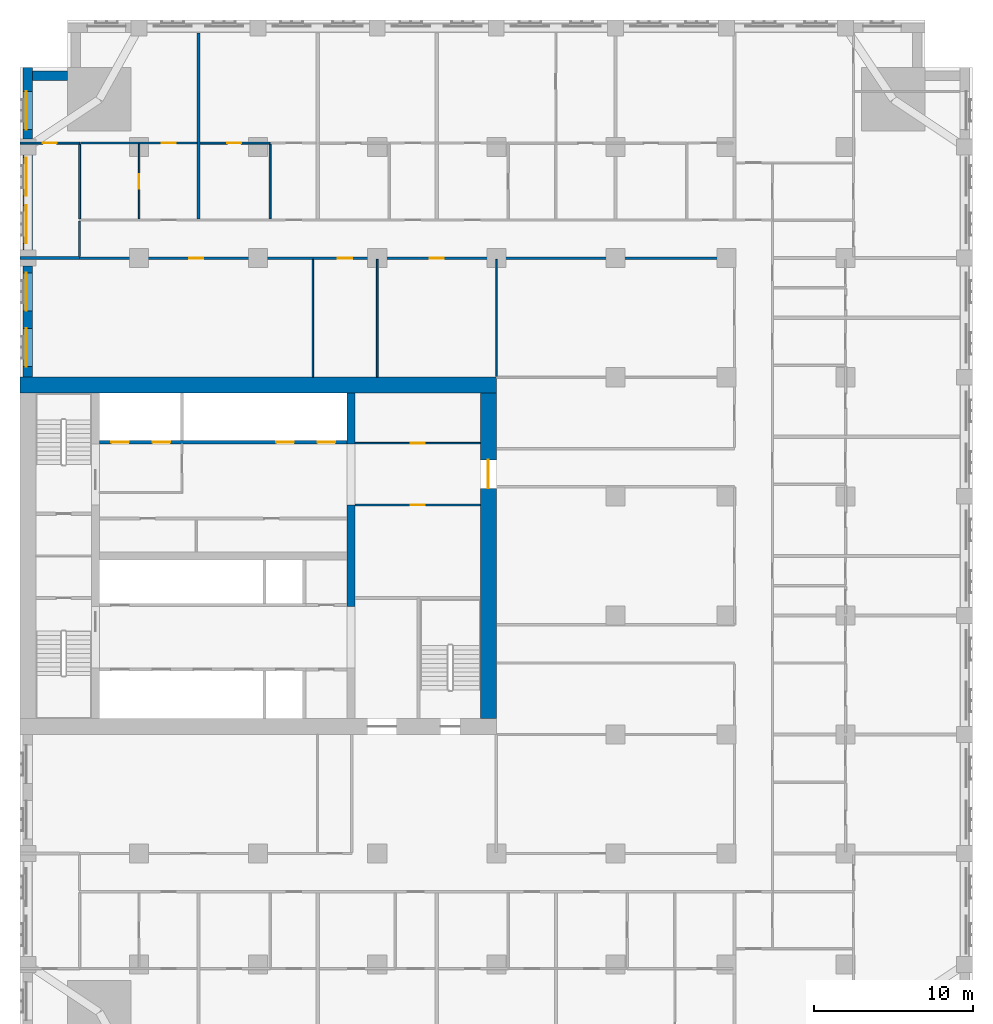
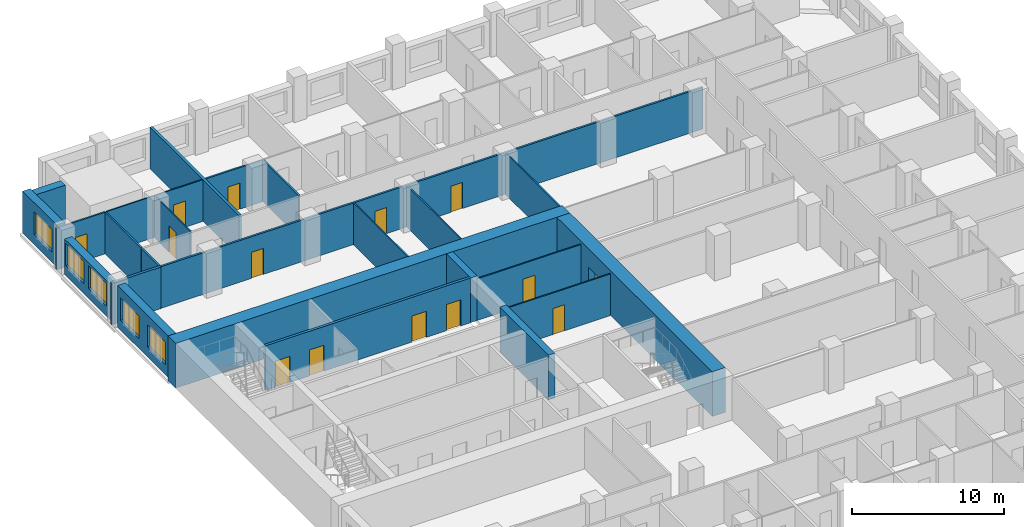
# One storey, part 8 of 14: 24 walls, 14 doors, 5 windows, 19 openings.
"""IFC4 building model written with IfcOpenShell, lengths in metres."""

from ifc_helpers import new_model, si_unit, direction, frame, frame_2d, origin, place, context, subcontext, project, spatial, rectangle, extrude, material, layer, layer_set, type_object, element, fill, save


model = new_model("IFC4")

# Units and contexts
model_context = context("Model", 3, precision=1e-05, world=origin(), true_north=direction((0.0, 1.0)))
body_context = subcontext(model_context, "Body", "Model", "MODEL_VIEW")
ifc_project = project(units=[si_unit("LENGTHUNIT", "METRE"), si_unit("AREAUNIT", "SQUARE_METRE"), si_unit("VOLUMEUNIT", "CUBIC_METRE"), si_unit("PLANEANGLEUNIT", "RADIAN"), si_unit("MASSUNIT", "GRAM", prefix="KILO")], contexts=[model_context])

# Site, building, storey
site_placement = place(None, origin())
site = spatial("IfcSite", under=ifc_project, at=site_placement, CompositionType="ELEMENT")
building_placement = place(site_placement, origin())
building = spatial("IfcBuilding", under=site, at=building_placement, Name="Tamorin Gate", CompositionType="ELEMENT")
storey_placement = place(building_placement, frame((0.0, 0.0, 66.39990234375)))
storey = spatial("IfcBuildingStorey", under=building, at=storey_placement, Name="L15", CompositionType="ELEMENT", Elevation=66.39990234375)

# Wall
ifc_material_1 = material(Name="Precast concrete C40/50", Category="concrete")
ifc_layer_1 = layer(ifc_material_1, 0.60009765625)
ifc_layer_set_1 = layer_set([ifc_layer_1], Name="Precast concrete C40/50")
wall_type_1 = type_object("IfcWallType", Name="Board-marked concrete facade panel 600", PredefinedType="SOLIDWALL", material=ifc_layer_set_1)
wall_1_placement = place(storey_placement, frame((33.0, 101.5, 0.0), z_axis=(0.0, 0.0, 1.0), x_axis=(-1.0, 0.0, 0.0)))
element("IfcWall", 1, at=wall_1_placement, inside=storey, type_object=wall_type_1, Name="Facade panel", PredefinedType="SOLIDWALL", context=body_context, shape_type="SweptSolid", body=[
    extrude(rectangle(XDim=2.199951171875, YDim=0.60009765625, at=frame_2d((1.10009765625, 0.0))), origin(), (0.0, 0.0, 1.0), 3.35009765625),
])

# Wall, opening, window
wall_2_placement = place(storey_placement, frame((30.5, 102.0, 0.0), z_axis=(0.0, 0.0, 1.0), x_axis=(0.0, -1.0, 0.0)))
wall_2 = element("IfcWall", 2, at=wall_2_placement, inside=storey, type_object=wall_type_1, Name="Facade panel", PredefinedType="SOLIDWALL", context=body_context, shape_type="SweptSolid", body=[
    extrude(rectangle(XDim=4.5, YDim=0.60009765625, at=frame_2d((2.25, 0.0))), origin(), (0.0, 0.0, 1.0), 3.35009765625),
])
opening_1_placement = place(wall_2_placement, frame((1.5, 0.0, 0.800048828125)))
opening_1 = element("IfcOpeningElement", 3, at=opening_1_placement, cuts=wall_2, Name="Opening WN1", PredefinedType="OPENING", context=body_context, shape_type="SweptSolid", body=[
    extrude(rectangle(XDim=2.39990234375, YDim=1.800048828125, at=frame_2d((1.199951171875, 0.89990234375))), frame((0.0, 0.31005859375, 0.0), z_axis=(0.0, -1.0, 0.0), x_axis=(1.0, 0.0, 0.0)), (0.0, 0.0, 1.0), 0.6201171875),
])
ifc_material_2 = material(Name="Clear glass in aluminium frame", Category="aluminium")
window_type = type_object("IfcWindowType", Name="Deep-set window 2400x1800", PartitioningType="SINGLE_PANEL", PredefinedType="WINDOW", material=ifc_material_2)
window_1_placement = place(opening_1_placement, origin())
window_1 = element("IfcWindow", 4, at=window_1_placement, inside=storey, type_object=window_type, Name="Deep-set window", OverallHeight=1.800048828125, OverallWidth=2.39990234375, PartitioningType="SINGLE_PANEL", PredefinedType="WINDOW", context=body_context, shape_type="SweptSolid", body=[
    extrude(rectangle(XDim=2.39990234375, YDim=1.800048828125, at=frame_2d((1.199951171875, 0.89990234375))), frame((0.0, -0.070068359375, 0.0), z_axis=(0.0, -1.0, 0.0), x_axis=(1.0, 0.0, 0.0)), (0.0, 0.0, 1.0), 0.06005859375),
])
fill(opening_1, window_1)

# Wall, openings, windows
wall_3_placement = place(storey_placement, frame((30.5, 96.5, 0.0), z_axis=(0.0, 0.0, 1.0), x_axis=(0.0, -1.0, 0.0)))
wall_3 = element("IfcWall", 5, at=wall_3_placement, inside=storey, type_object=wall_type_1, Name="Facade panel", PredefinedType="SOLIDWALL", context=body_context, shape_type="SweptSolid", body=[
    extrude(rectangle(XDim=6.0, YDim=0.60009765625, at=frame_2d((3.0, 0.0))), origin(), (0.0, 0.0, 1.0), 2.85009765625),
])
opening_2_placement = place(wall_3_placement, frame((3.175048828125, 0.0, 0.800048828125)))
opening_2 = element("IfcOpeningElement", 6, at=opening_2_placement, cuts=wall_3, Name="Opening WN1", PredefinedType="OPENING", context=body_context, shape_type="SweptSolid", body=[
    extrude(rectangle(XDim=2.39990234375, YDim=1.800048828125, at=frame_2d((1.199951171875, 0.89990234375))), frame((0.0, 0.31005859375, 0.0), z_axis=(0.0, -1.0, 0.0), x_axis=(1.0, 0.0, 0.0)), (0.0, 0.0, 1.0), 0.6201171875),
])
opening_3_placement = place(wall_3_placement, frame((0.175048828125, 0.0, 0.800048828125)))
opening_3 = element("IfcOpeningElement", 7, at=opening_3_placement, cuts=wall_3, Name="Opening WN1", PredefinedType="OPENING", context=body_context, shape_type="SweptSolid", body=[
    extrude(rectangle(XDim=2.39990234375, YDim=1.800048828125, at=frame_2d((1.199951171875, 0.89990234375))), frame((0.0, 0.31005859375, 0.0), z_axis=(0.0, -1.0, 0.0), x_axis=(1.0, 0.0, 0.0)), (0.0, 0.0, 1.0), 0.6201171875),
])
window_2_placement = place(opening_2_placement, origin())
window_2 = element("IfcWindow", 8, at=window_2_placement, inside=storey, type_object=window_type, Name="Deep-set window", OverallHeight=1.800048828125, OverallWidth=2.39990234375, PartitioningType="SINGLE_PANEL", PredefinedType="WINDOW", context=body_context, shape_type="SweptSolid", body=[
    extrude(rectangle(XDim=2.39990234375, YDim=1.800048828125, at=frame_2d((1.199951171875, 0.89990234375))), frame((0.0, -0.070068359375, 0.0), z_axis=(0.0, -1.0, 0.0), x_axis=(1.0, 0.0, 0.0)), (0.0, 0.0, 1.0), 0.06005859375),
])
fill(opening_2, window_2)
window_3_placement = place(opening_3_placement, origin())
window_3 = element("IfcWindow", 9, at=window_3_placement, inside=storey, type_object=window_type, Name="Deep-set window", OverallHeight=1.800048828125, OverallWidth=2.39990234375, PartitioningType="SINGLE_PANEL", PredefinedType="WINDOW", context=body_context, shape_type="SweptSolid", body=[
    extrude(rectangle(XDim=2.39990234375, YDim=1.800048828125, at=frame_2d((1.199951171875, 0.89990234375))), frame((0.0, -0.070068359375, 0.0), z_axis=(0.0, -1.0, 0.0), x_axis=(1.0, 0.0, 0.0)), (0.0, 0.0, 1.0), 0.06005859375),
])
fill(opening_3, window_3)

wall_4_placement = place(storey_placement, frame((30.5, 89.5, 0.0), z_axis=(0.0, 0.0, 1.0), x_axis=(0.0, -1.0, 0.0)))
wall_4 = element("IfcWall", 10, at=wall_4_placement, inside=storey, type_object=wall_type_1, Name="Facade panel", PredefinedType="SOLIDWALL", context=body_context, shape_type="SweptSolid", body=[
    extrude(rectangle(XDim=7.0, YDim=0.60009765625, at=frame_2d((3.5, 0.0))), origin(), (0.0, 0.0, 1.0), 3.35009765625),
])
opening_4_placement = place(wall_4_placement, frame((3.925048828125, 0.0, 0.800048828125)))
opening_4 = element("IfcOpeningElement", 11, at=opening_4_placement, cuts=wall_4, Name="Opening WN1", PredefinedType="OPENING", context=body_context, shape_type="SweptSolid", body=[
    extrude(rectangle(XDim=2.39990234375, YDim=1.800048828125, at=frame_2d((1.199951171875, 0.89990234375))), frame((0.0, 0.31005859375, 0.0), z_axis=(0.0, -1.0, 0.0), x_axis=(1.0, 0.0, 0.0)), (0.0, 0.0, 1.0), 0.6201171875),
])
opening_5_placement = place(wall_4_placement, frame((0.425048828125, 0.0, 0.800048828125)))
opening_5 = element("IfcOpeningElement", 12, at=opening_5_placement, cuts=wall_4, Name="Opening WN1", PredefinedType="OPENING", context=body_context, shape_type="SweptSolid", body=[
    extrude(rectangle(XDim=2.39990234375, YDim=1.800048828125, at=frame_2d((1.199951171875, 0.89990234375))), frame((0.0, 0.31005859375, 0.0), z_axis=(0.0, -1.0, 0.0), x_axis=(1.0, 0.0, 0.0)), (0.0, 0.0, 1.0), 0.6201171875),
])
window_4_placement = place(opening_4_placement, origin())
window_4 = element("IfcWindow", 13, at=window_4_placement, inside=storey, type_object=window_type, Name="Deep-set window", OverallHeight=1.800048828125, OverallWidth=2.39990234375, PartitioningType="SINGLE_PANEL", PredefinedType="WINDOW", context=body_context, shape_type="SweptSolid", body=[
    extrude(rectangle(XDim=2.39990234375, YDim=1.800048828125, at=frame_2d((1.199951171875, 0.89990234375))), frame((0.0, -0.070068359375, 0.0), z_axis=(0.0, -1.0, 0.0), x_axis=(1.0, 0.0, 0.0)), (0.0, 0.0, 1.0), 0.06005859375),
])
fill(opening_4, window_4)
window_5_placement = place(opening_5_placement, origin())
window_5 = element("IfcWindow", 14, at=window_5_placement, inside=storey, type_object=window_type, Name="Deep-set window", OverallHeight=1.800048828125, OverallWidth=2.39990234375, PartitioningType="SINGLE_PANEL", PredefinedType="WINDOW", context=body_context, shape_type="SweptSolid", body=[
    extrude(rectangle(XDim=2.39990234375, YDim=1.800048828125, at=frame_2d((1.199951171875, 0.89990234375))), frame((0.0, -0.070068359375, 0.0), z_axis=(0.0, -1.0, 0.0), x_axis=(1.0, 0.0, 0.0)), (0.0, 0.0, 1.0), 0.06005859375),
])
fill(opening_5, window_5)

# Wall, openings, doors
ifc_material_3 = material(Name="Gypsum board partition")
ifc_layer_2 = layer(ifc_material_3, 0.14990234375)
ifc_layer_set_2 = layer_set([ifc_layer_2], Name="Corridor wall 150")
wall_type_2 = type_object("IfcWallType", Name="Corridor wall 150", PredefinedType="PARTITIONING", material=ifc_layer_set_2)
wall_5_placement = place(storey_placement, frame((33.75, 90.0, 0.0), z_axis=(0.0, 0.0, 1.0), x_axis=(1.0, 0.0, 0.0)))
wall_5 = element("IfcWall", 15, at=wall_5_placement, inside=storey, type_object=wall_type_2, Name="Corridor wall 150", PredefinedType="PARTITIONING", context=body_context, shape_type="SweptSolid", body=[
    extrude(rectangle(XDim=41.25, YDim=0.14990234375, at=frame_2d((20.625, 0.0))), origin(), (0.0, 0.0, 1.0), 3.35009765625),
])
opening_6_placement = place(wall_5_placement, frame((6.89990234375, 0.0, 0.0)))
opening_6 = element("IfcOpeningElement", 16, at=opening_6_placement, cuts=wall_5, Name="Opening DH2070", PredefinedType="OPENING", context=body_context, shape_type="SweptSolid", body=[
    extrude(rectangle(XDim=0.89990234375, YDim=2.10009765625, at=frame_2d((0.449951171875, 1.050048828125))), frame((0.0, 0.0849609375, 0.0), z_axis=(0.0, -1.0, 0.0), x_axis=(1.0, 0.0, 0.0)), (0.0, 0.0, 1.0), 0.169921875),
])
opening_7_placement = place(wall_5_placement, frame((16.27490234375, 0.0, 0.0)))
opening_7 = element("IfcOpeningElement", 17, at=opening_7_placement, cuts=wall_5, Name="Opening DH2071", PredefinedType="OPENING", context=body_context, shape_type="SweptSolid", body=[
    extrude(rectangle(XDim=0.89990234375, YDim=2.10009765625, at=frame_2d((0.449951171875, 1.050048828125))), frame((0.0, 0.0849609375, 0.0), z_axis=(0.0, -1.0, 0.0), x_axis=(1.0, 0.0, 0.0)), (0.0, 0.0, 1.0), 0.169921875),
])
opening_8_placement = place(wall_5_placement, frame((22.050048828125, 0.0, 0.0)))
opening_8 = element("IfcOpeningElement", 18, at=opening_8_placement, cuts=wall_5, Name="Opening DH2072", PredefinedType="OPENING", context=body_context, shape_type="SweptSolid", body=[
    extrude(rectangle(XDim=0.89990234375, YDim=2.10009765625, at=frame_2d((0.449951171875, 1.050048828125))), frame((0.0, 0.0849609375, 0.0), z_axis=(0.0, -1.0, 0.0), x_axis=(1.0, 0.0, 0.0)), (0.0, 0.0, 1.0), 0.169921875),
])
ifc_material_4 = material(Name="Timber door leaf", Category="wood")
door_type_1 = type_object("IfcDoorType", Name="Door 900 x 2100 FD30S", OperationType="NOTDEFINED", PredefinedType="DOOR", material=ifc_material_4)
door_1_placement = place(opening_6_placement, origin())
door_1 = element("IfcDoor", 19, at=door_1_placement, inside=storey, type_object=door_type_1, Name="Door DH2070", OperationType="SINGLE_SWING_RIGHT", OverallHeight=2.10009765625, OverallWidth=0.89990234375, PredefinedType="DOOR", context=body_context, shape_type="SweptSolid", body=[
    extrude(rectangle(XDim=0.89990234375, YDim=2.10009765625, at=frame_2d((0.449951171875, 1.050048828125))), frame((0.0, 0.02490234375, 0.0), z_axis=(0.0, -1.0, 0.0), x_axis=(1.0, 0.0, 0.0)), (0.0, 0.0, 1.0), 0.050048828125),
])
fill(opening_6, door_1)
door_2_placement = place(opening_7_placement, origin())
door_2 = element("IfcDoor", 20, at=door_2_placement, inside=storey, type_object=door_type_1, Name="Door DH2071", OperationType="SINGLE_SWING_LEFT", OverallHeight=2.10009765625, OverallWidth=0.89990234375, PredefinedType="DOOR", context=body_context, shape_type="SweptSolid", body=[
    extrude(rectangle(XDim=0.89990234375, YDim=2.10009765625, at=frame_2d((0.449951171875, 1.050048828125))), frame((0.0, 0.02490234375, 0.0), z_axis=(0.0, -1.0, 0.0), x_axis=(1.0, 0.0, 0.0)), (0.0, 0.0, 1.0), 0.050048828125),
])
fill(opening_7, door_2)
door_3_placement = place(opening_8_placement, origin())
door_3 = element("IfcDoor", 21, at=door_3_placement, inside=storey, type_object=door_type_1, Name="Door DH2072", OperationType="SINGLE_SWING_RIGHT", OverallHeight=2.10009765625, OverallWidth=0.89990234375, PredefinedType="DOOR", context=body_context, shape_type="SweptSolid", body=[
    extrude(rectangle(XDim=0.89990234375, YDim=2.10009765625, at=frame_2d((0.449951171875, 1.050048828125))), frame((0.0, 0.02490234375, 0.0), z_axis=(0.0, -1.0, 0.0), x_axis=(1.0, 0.0, 0.0)), (0.0, 0.0, 1.0), 0.050048828125),
])
fill(opening_8, door_3)

# Walls
wall_6_placement = place(storey_placement, frame((33.75, 90.10009765625, 0.0), z_axis=(0.0, 0.0, 1.0), x_axis=(0.0, 1.0, 0.0)))
element("IfcWall", 22, at=wall_6_placement, inside=storey, type_object=wall_type_2, Name="Corridor wall 150", PredefinedType="PARTITIONING", context=body_context, shape_type="SweptSolid", body=[
    extrude(rectangle(XDim=2.224853515625, YDim=0.14990234375, at=frame_2d((1.1123046875, 0.0))), origin(), (0.0, 0.0, 1.0), 3.35009765625),
])
ifc_layer_3 = layer(ifc_material_3, 0.199951171875)
ifc_layer_set_3 = layer_set([ifc_layer_3], Name="Demising wall 200")
wall_type_3 = type_object("IfcWallType", Name="Demising wall 200", PredefinedType="PARTITIONING", material=ifc_layer_set_3)
wall_7_placement = place(storey_placement, frame((30.0, 90.0, 0.0), z_axis=(0.0, 0.0, 1.0), x_axis=(1.0, 0.0, 0.0)))
element("IfcWall", 23, at=wall_7_placement, inside=storey, type_object=wall_type_3, Name="Demising wall 200", PredefinedType="PARTITIONING", context=body_context, shape_type="SweptSolid", body=[
    extrude(rectangle(XDim=3.75, YDim=0.199951171875, at=frame_2d((1.875, 0.0))), origin(), (0.0, 0.0, 1.0), 3.35009765625),
])
wall_8_placement = place(storey_placement, frame((41.25, 92.47509765625, 0.0), z_axis=(0.0, 0.0, 1.0), x_axis=(0.0, 1.0, 0.0)))
element("IfcWall", 24, at=wall_8_placement, inside=storey, type_object=wall_type_3, Name="Demising wall 200", PredefinedType="PARTITIONING", context=body_context, shape_type="SweptSolid", body=[
    extrude(rectangle(XDim=11.71484375, YDim=0.199951171875, at=frame_2d((5.857421875, 0.0))), origin(), (0.0, 0.0, 1.0), 3.35009765625),
])

# Wall, openings, doors
ifc_material_5 = material(Name="Concrete C32/40", Category="concrete")
ifc_layer_4 = layer(ifc_material_5, 0.199951171875)
ifc_layer_set_4 = layer_set([ifc_layer_4], Name="Lift lobby face wall 200 EI 120")
wall_type_4 = type_object("IfcWallType", Name="Lift lobby face wall 200 EI 120", PredefinedType="SOLIDWALL", material=ifc_layer_set_4)
wall_9_placement = place(storey_placement, frame((35.0, 78.39990234375, 0.0), z_axis=(0.0, 0.0, 1.0), x_axis=(1.0, 0.0, 0.0)))
wall_9 = element("IfcWall", 25, at=wall_9_placement, inside=storey, type_object=wall_type_4, Name="Lift lobby face wall", PredefinedType="SOLIDWALL", context=body_context, shape_type="SweptSolid", body=[
    extrude(rectangle(XDim=15.60009765625, YDim=0.199951171875, at=frame_2d((7.800048828125, 0.0))), origin(), (0.0, 0.0, 1.0), 3.60009765625),
])
opening_9_placement = place(wall_9_placement, frame((0.75, 0.0, 0.0)))
opening_9 = element("IfcOpeningElement", 26, at=opening_9_placement, cuts=wall_9, Name="Opening LD17", PredefinedType="OPENING", context=body_context, shape_type="SweptSolid", body=[
    extrude(rectangle(XDim=1.10009765625, YDim=2.10009765625, at=frame_2d((0.550048828125, 1.050048828125))), frame((0.0, 0.10986328125, 0.0), z_axis=(0.0, -1.0, 0.0), x_axis=(1.0, 0.0, 0.0)), (0.0, 0.0, 1.0), 0.219970703125),
])
opening_10_placement = place(wall_9_placement, frame((3.35009765625, 0.0, 0.0)))
opening_10 = element("IfcOpeningElement", 27, at=opening_10_placement, cuts=wall_9, Name="Opening LD18", PredefinedType="OPENING", context=body_context, shape_type="SweptSolid", body=[
    extrude(rectangle(XDim=1.10009765625, YDim=2.10009765625, at=frame_2d((0.550048828125, 1.050048828125))), frame((0.0, 0.10986328125, 0.0), z_axis=(0.0, -1.0, 0.0), x_axis=(1.0, 0.0, 0.0)), (0.0, 0.0, 1.0), 0.219970703125),
])
opening_11_placement = place(wall_9_placement, frame((11.14990234375, 0.0, 0.0)))
opening_11 = element("IfcOpeningElement", 28, at=opening_11_placement, cuts=wall_9, Name="Opening LD21", PredefinedType="OPENING", context=body_context, shape_type="SweptSolid", body=[
    extrude(rectangle(XDim=1.10009765625, YDim=2.10009765625, at=frame_2d((0.550048828125, 1.050048828125))), frame((0.0, 0.10986328125, 0.0), z_axis=(0.0, -1.0, 0.0), x_axis=(1.0, 0.0, 0.0)), (0.0, 0.0, 1.0), 0.219970703125),
])
opening_12_placement = place(wall_9_placement, frame((13.75, 0.0, 0.0)))
opening_12 = element("IfcOpeningElement", 29, at=opening_12_placement, cuts=wall_9, Name="Opening LD22", PredefinedType="OPENING", context=body_context, shape_type="SweptSolid", body=[
    extrude(rectangle(XDim=1.10009765625, YDim=2.10009765625, at=frame_2d((0.550048828125, 1.050048828125))), frame((0.0, 0.10986328125, 0.0), z_axis=(0.0, -1.0, 0.0), x_axis=(1.0, 0.0, 0.0)), (0.0, 0.0, 1.0), 0.219970703125),
])
ifc_material_6 = material(Name="Stainless steel sliding door", Category="steel")
door_type_2 = type_object("IfcDoorType", Name="Lift landing door 1100 x 2100 E 90", OperationType="DOUBLE_DOOR_SLIDING", PredefinedType="DOOR", material=ifc_material_6)
door_4_placement = place(opening_9_placement, origin())
door_4 = element("IfcDoor", 30, at=door_4_placement, inside=storey, type_object=door_type_2, Name="FF1 landing door", OperationType="DOUBLE_DOOR_SLIDING", OverallHeight=2.10009765625, OverallWidth=1.10009765625, PredefinedType="DOOR", context=body_context, shape_type="SweptSolid", body=[
    extrude(rectangle(XDim=1.10009765625, YDim=2.10009765625, at=frame_2d((0.550048828125, 1.050048828125))), frame((0.0, 0.02490234375, 0.0), z_axis=(0.0, -1.0, 0.0), x_axis=(1.0, 0.0, 0.0)), (0.0, 0.0, 1.0), 0.050048828125),
])
fill(opening_9, door_4)
door_5_placement = place(opening_10_placement, origin())
door_5 = element("IfcDoor", 31, at=door_5_placement, inside=storey, type_object=door_type_2, Name="FF2 landing door", OperationType="DOUBLE_DOOR_SLIDING", OverallHeight=2.10009765625, OverallWidth=1.10009765625, PredefinedType="DOOR", context=body_context, shape_type="SweptSolid", body=[
    extrude(rectangle(XDim=1.10009765625, YDim=2.10009765625, at=frame_2d((0.550048828125, 1.050048828125))), frame((0.0, 0.02490234375, 0.0), z_axis=(0.0, -1.0, 0.0), x_axis=(1.0, 0.0, 0.0)), (0.0, 0.0, 1.0), 0.050048828125),
])
fill(opening_10, door_5)
door_6_placement = place(opening_11_placement, origin())
door_6 = element("IfcDoor", 32, at=door_6_placement, inside=storey, type_object=door_type_2, Name="SV1 landing door", OperationType="DOUBLE_DOOR_SLIDING", OverallHeight=2.10009765625, OverallWidth=1.10009765625, PredefinedType="DOOR", context=body_context, shape_type="SweptSolid", body=[
    extrude(rectangle(XDim=1.10009765625, YDim=2.10009765625, at=frame_2d((0.550048828125, 1.050048828125))), frame((0.0, 0.02490234375, 0.0), z_axis=(0.0, -1.0, 0.0), x_axis=(1.0, 0.0, 0.0)), (0.0, 0.0, 1.0), 0.050048828125),
])
fill(opening_11, door_6)
door_7_placement = place(opening_12_placement, origin())
door_7 = element("IfcDoor", 33, at=door_7_placement, inside=storey, type_object=door_type_2, Name="SV2 landing door", OperationType="DOUBLE_DOOR_SLIDING", OverallHeight=2.10009765625, OverallWidth=1.10009765625, PredefinedType="DOOR", context=body_context, shape_type="SweptSolid", body=[
    extrude(rectangle(XDim=1.10009765625, YDim=2.10009765625, at=frame_2d((0.550048828125, 1.050048828125))), frame((0.0, 0.02490234375, 0.0), z_axis=(0.0, -1.0, 0.0), x_axis=(1.0, 0.0, 0.0)), (0.0, 0.0, 1.0), 0.050048828125),
])
fill(opening_12, door_7)

# Walls
ifc_material_7 = material(Name="Concrete C80/95", Category="concrete")
ifc_layer_5 = layer(ifc_material_7, 0.5)
ifc_layer_set_5 = layer_set([ifc_layer_5], Name="RC core internal wall 500 C80/95")
wall_type_5 = type_object("IfcWallType", Name="RC core internal wall 500 C80/95", PredefinedType="SHEAR", material=ifc_layer_set_5)
wall_10_placement = place(storey_placement, frame((50.85009765625, 68.050048828125, 0.0), z_axis=(0.0, 0.0, 1.0), x_axis=(0.0, 1.0, 0.0)))
element("IfcWall", 34, at=wall_10_placement, inside=storey, type_object=wall_type_5, Name="Core cross wall L15", PredefinedType="SHEAR", context=body_context, shape_type="SweptSolid", body=[
    extrude(rectangle(XDim=6.39990234375, YDim=0.5, at=frame_2d((3.199951171875, 0.0))), origin(), (0.0, 0.0, 1.0), 3.60009765625),
])
wall_11_placement = place(storey_placement, frame((50.85009765625, 78.300048828125, 0.0), z_axis=(0.0, 0.0, 1.0), x_axis=(0.0, 1.0, 0.0)))
element("IfcWall", 35, at=wall_11_placement, inside=storey, type_object=wall_type_5, Name="Core cross wall L15", PredefinedType="SHEAR", context=body_context, shape_type="SweptSolid", body=[
    extrude(rectangle(XDim=3.199951171875, YDim=0.5, at=frame_2d((1.60009765625, 0.0))), origin(), (0.0, 0.0, 1.0), 3.60009765625),
])
ifc_layer_6 = layer(ifc_material_7, 1.0)
ifc_layer_set_6 = layer_set([ifc_layer_6], Name="RC core wall 1000 C80/95")
wall_type_6 = type_object("IfcWallType", Name="RC core wall 1000 C80/95", PredefinedType="SHEAR", material=ifc_layer_set_6)
wall_12_placement = place(storey_placement, frame((30.0, 82.0, 0.0), z_axis=(0.0, 0.0, 1.0), x_axis=(1.0, 0.0, 0.0)))
element("IfcWall", 36, at=wall_12_placement, inside=storey, type_object=wall_type_6, Name="Core wall L15", PredefinedType="SHEAR", context=body_context, shape_type="SweptSolid", body=[
    extrude(rectangle(XDim=30.0, YDim=1.0, at=frame_2d((15.0, 0.0))), origin(), (0.0, 0.0, 1.0), 3.60009765625),
])

# Wall, opening, door
wall_13_placement = place(storey_placement, frame((59.5, 61.0, 0.0), z_axis=(0.0, 0.0, 1.0), x_axis=(0.0, 1.0, 0.0)))
wall_13 = element("IfcWall", 37, at=wall_13_placement, inside=storey, type_object=wall_type_6, Name="Core wall L15", PredefinedType="SHEAR", context=body_context, shape_type="SweptSolid", body=[
    extrude(rectangle(XDim=20.5, YDim=1.0, at=frame_2d((10.25, 0.0))), origin(), (0.0, 0.0, 1.0), 3.60009765625),
])
opening_13_placement = place(wall_13_placement, frame((14.5, 0.0, 0.0)))
opening_13 = element("IfcOpeningElement", 38, at=opening_13_placement, cuts=wall_13, Name="Opening DE1", PredefinedType="OPENING", context=body_context, shape_type="SweptSolid", body=[
    extrude(rectangle(XDim=1.800048828125, YDim=2.10009765625, at=frame_2d((0.89990234375, 1.050048828125))), frame((0.0, 0.510009765625, 0.0), z_axis=(0.0, -1.0, 0.0), x_axis=(1.0, 0.0, 0.0)), (0.0, 0.0, 1.0), 1.02001953125),
])
ifc_material_8 = material(Name="Steel fire door", Category="steel")
door_type_3 = type_object("IfcDoorType", Name="Lobby exit double door 1800 x 2100 EI 60", OperationType="DOUBLE_DOOR_SINGLE_SWING", PredefinedType="DOOR", material=ifc_material_8)
door_8_placement = place(opening_13_placement, origin())
door_8 = element("IfcDoor", 39, at=door_8_placement, inside=storey, type_object=door_type_3, Name="Lift lobby B exit door", OperationType="DOUBLE_DOOR_SINGLE_SWING", OverallHeight=2.10009765625, OverallWidth=1.800048828125, PredefinedType="DOOR", context=body_context, shape_type="SweptSolid", body=[
    extrude(rectangle(XDim=1.800048828125, YDim=2.10009765625, at=frame_2d((0.89990234375, 1.050048828125))), frame((0.0, 0.02490234375, 0.0), z_axis=(0.0, -1.0, 0.0), x_axis=(1.0, 0.0, 0.0)), (0.0, 0.0, 1.0), 0.050048828125),
])
fill(opening_13, door_8)

ifc_layer_7 = layer(ifc_material_3, 0.10009765625)
ifc_layer_set_7 = layer_set([ifc_layer_7], Name="Room partition 100")
wall_type_7 = type_object("IfcWallType", Name="Room partition 100", PredefinedType="PARTITIONING", material=ifc_layer_set_7)
wall_14_placement = place(storey_placement, frame((33.8125, 97.25, 0.0), z_axis=(0.0, 0.0, 1.0), x_axis=(1.0, 0.0, 0.0)))
wall_14 = element("IfcWall", 40, at=wall_14_placement, inside=storey, type_object=wall_type_7, Name="Room partition 100", PredefinedType="PARTITIONING", context=body_context, shape_type="SweptSolid", body=[
    extrude(rectangle(XDim=7.33740234375, YDim=0.10009765625, at=frame_2d((3.668701171875, 0.0))), origin(), (0.0, 0.0, 1.0), 3.35009765625),
])
opening_14_placement = place(wall_14_placement, frame((5.112548828125, 0.0, 0.0)))
opening_14 = element("IfcOpeningElement", 41, at=opening_14_placement, cuts=wall_14, Name="Opening DH2022", PredefinedType="OPENING", context=body_context, shape_type="SweptSolid", body=[
    extrude(rectangle(XDim=0.89990234375, YDim=2.10009765625, at=frame_2d((0.449951171875, 1.050048828125))), frame((0.0, 0.06005859375, 0.0), z_axis=(0.0, -1.0, 0.0), x_axis=(1.0, 0.0, 0.0)), (0.0, 0.0, 1.0), 0.1201171875),
])
door_type_4 = type_object("IfcDoorType", Name="Door 900 x 2100", OperationType="NOTDEFINED", PredefinedType="DOOR", material=ifc_material_4)
door_9_placement = place(opening_14_placement, origin())
door_9 = element("IfcDoor", 42, at=door_9_placement, inside=storey, type_object=door_type_4, Name="Door DH2022", OperationType="SINGLE_SWING_RIGHT", OverallHeight=2.10009765625, OverallWidth=0.89990234375, PredefinedType="DOOR", context=body_context, shape_type="SweptSolid", body=[
    extrude(rectangle(XDim=0.89990234375, YDim=2.10009765625, at=frame_2d((0.449951171875, 1.050048828125))), frame((0.0, 0.02490234375, 0.0), z_axis=(0.0, -1.0, 0.0), x_axis=(1.0, 0.0, 0.0)), (0.0, 0.0, 1.0), 0.050048828125),
])
fill(opening_14, door_9)

wall_15_placement = place(storey_placement, frame((37.5, 92.47509765625, 0.0), z_axis=(0.0, 0.0, 1.0), x_axis=(0.0, 1.0, 0.0)))
wall_15 = element("IfcWall", 43, at=wall_15_placement, inside=storey, type_object=wall_type_7, Name="Room partition 100", PredefinedType="PARTITIONING", context=body_context, shape_type="SweptSolid", body=[
    extrude(rectangle(XDim=4.724853515625, YDim=0.10009765625, at=frame_2d((2.3623046875, 0.0))), origin(), (0.0, 0.0, 1.0), 3.35009765625),
])
opening_15_placement = place(wall_15_placement, frame((1.89990234375, 0.0, 0.0)))
opening_15 = element("IfcOpeningElement", 44, at=opening_15_placement, cuts=wall_15, Name="Opening DH2020", PredefinedType="OPENING", context=body_context, shape_type="SweptSolid", body=[
    extrude(rectangle(XDim=0.89990234375, YDim=2.10009765625, at=frame_2d((0.449951171875, 1.050048828125))), frame((0.0, 0.06005859375, 0.0), z_axis=(0.0, -1.0, 0.0), x_axis=(1.0, 0.0, 0.0)), (0.0, 0.0, 1.0), 0.1201171875),
])
door_10_placement = place(opening_15_placement, origin())
door_10 = element("IfcDoor", 45, at=door_10_placement, inside=storey, type_object=door_type_4, Name="Door DH2020", OperationType="SINGLE_SWING_RIGHT", OverallHeight=2.10009765625, OverallWidth=0.89990234375, PredefinedType="DOOR", context=body_context, shape_type="SweptSolid", body=[
    extrude(rectangle(XDim=0.89990234375, YDim=2.10009765625, at=frame_2d((0.449951171875, 1.050048828125))), frame((0.0, 0.02490234375, 0.0), z_axis=(0.0, -1.0, 0.0), x_axis=(1.0, 0.0, 0.0)), (0.0, 0.0, 1.0), 0.050048828125),
])
fill(opening_15, door_10)

# Walls
for number, where, z_axis, x_axis, name in (
    (46, (48.449951171875, 82.5, 0.0), (0.0, 0.0, 1.0), (0.0, 1.0, 0.0), "Room partition 100"),
    (47, (52.5, 82.5, 0.0), (0.0, 0.0, 1.0), (0.0, 1.0, 0.0), "Room partition 100"),
):
    element("IfcWall", number, at=place(storey_placement, frame(where, z_axis=z_axis, x_axis=x_axis)), inside=storey, type_object=wall_type_7, Name=name, PredefinedType="PARTITIONING", context=body_context, shape_type="SweptSolid", body=[
        extrude(rectangle(XDim=7.425048828125, YDim=0.10009765625, at=frame_2d((3.71240234375, 0.0))), origin(), (0.0, 0.0, 1.0), 3.35009765625),
    ])
wall_16_placement = place(storey_placement, frame((60.0, 82.550048828125, 0.0), z_axis=(0.0, 0.0, 1.0), x_axis=(0.0, 1.0, 0.0)))
element("IfcWall", 48, at=wall_16_placement, inside=storey, type_object=wall_type_7, Name="Room partition 100", PredefinedType="PARTITIONING", context=body_context, shape_type="SweptSolid", body=[
    extrude(rectangle(XDim=7.375, YDim=0.10009765625, at=frame_2d((3.6875, 0.0))), origin(), (0.0, 0.0, 1.0), 3.35009765625),
])

# Wall, opening, door
ifc_layer_8 = layer(ifc_material_3, 0.10009765625)
ifc_layer_set_8 = layer_set([ifc_layer_8], Name="Service room partition 100 EI 60")
wall_type_8 = type_object("IfcWallType", Name="Service room partition 100 EI 60", PredefinedType="PARTITIONING", material=ifc_layer_set_8)
wall_17_placement = place(storey_placement, frame((51.10009765625, 74.449951171875, 0.0), z_axis=(0.0, 0.0, 1.0), x_axis=(1.0, 0.0, 0.0)))
wall_17 = element("IfcWall", 49, at=wall_17_placement, inside=storey, type_object=wall_type_8, Name="Service room wall", PredefinedType="PARTITIONING", context=body_context, shape_type="SweptSolid", body=[
    extrude(rectangle(XDim=7.89990234375, YDim=0.10009765625, at=frame_2d((3.949951171875, 0.0))), origin(), (0.0, 0.0, 1.0), 3.35009765625),
])
opening_16_placement = place(wall_17_placement, frame((3.5, 0.0, 0.0)))
opening_16 = element("IfcOpeningElement", 50, at=opening_16_placement, cuts=wall_17, Name="Opening DR1", PredefinedType="OPENING", context=body_context, shape_type="SweptSolid", body=[
    extrude(rectangle(XDim=0.89990234375, YDim=2.10009765625, at=frame_2d((0.449951171875, 1.050048828125))), frame((0.0, 0.06005859375, 0.0), z_axis=(0.0, -1.0, 0.0), x_axis=(1.0, 0.0, 0.0)), (0.0, 0.0, 1.0), 0.1201171875),
])
door_type_5 = type_object("IfcDoorType", Name="Riser access door 900 x 2100 EI 120", OperationType="SINGLE_SWING_LEFT", PredefinedType="DOOR", material=ifc_material_8)
door_11_placement = place(opening_16_placement, origin())
door_11 = element("IfcDoor", 51, at=door_11_placement, inside=storey, type_object=door_type_5, Name="Duct riser door", OperationType="SINGLE_SWING_LEFT", OverallHeight=2.10009765625, OverallWidth=0.89990234375, PredefinedType="DOOR", context=body_context, shape_type="SweptSolid", body=[
    extrude(rectangle(XDim=0.89990234375, YDim=2.10009765625, at=frame_2d((0.449951171875, 1.050048828125))), frame((0.0, 0.02490234375, 0.0), z_axis=(0.0, -1.0, 0.0), x_axis=(1.0, 0.0, 0.0)), (0.0, 0.0, 1.0), 0.050048828125),
])
fill(opening_16, door_11)

wall_18_placement = place(storey_placement, frame((51.10009765625, 78.35009765625, 0.0), z_axis=(0.0, 0.0, 1.0), x_axis=(1.0, 0.0, 0.0)))
wall_18 = element("IfcWall", 52, at=wall_18_placement, inside=storey, type_object=wall_type_8, Name="Service room wall", PredefinedType="PARTITIONING", context=body_context, shape_type="SweptSolid", body=[
    extrude(rectangle(XDim=7.89990234375, YDim=0.10009765625, at=frame_2d((3.949951171875, 0.0))), origin(), (0.0, 0.0, 1.0), 3.35009765625),
])
opening_17_placement = place(wall_18_placement, frame((3.5, 0.0, 0.0)))
opening_17 = element("IfcOpeningElement", 53, at=opening_17_placement, cuts=wall_18, Name="Opening DK1", PredefinedType="OPENING", context=body_context, shape_type="SweptSolid", body=[
    extrude(rectangle(XDim=0.89990234375, YDim=2.10009765625, at=frame_2d((0.449951171875, 1.050048828125))), frame((0.0, 0.06005859375, 0.0), z_axis=(0.0, -1.0, 0.0), x_axis=(1.0, 0.0, 0.0)), (0.0, 0.0, 1.0), 0.1201171875),
])
ifc_material_9 = material(Name="Timber fire door", Category="wood")
door_type_6 = type_object("IfcDoorType", Name="Service room door 900 x 2100 EI 60", OperationType="SINGLE_SWING_LEFT", PredefinedType="DOOR", material=ifc_material_9)
door_12_placement = place(opening_17_placement, origin())
door_12 = element("IfcDoor", 54, at=door_12_placement, inside=storey, type_object=door_type_6, Name="Door Store", OperationType="SINGLE_SWING_LEFT", OverallHeight=2.10009765625, OverallWidth=0.89990234375, PredefinedType="DOOR", context=body_context, shape_type="SweptSolid", body=[
    extrude(rectangle(XDim=0.89990234375, YDim=2.10009765625, at=frame_2d((0.449951171875, 1.050048828125))), frame((0.0, 0.02490234375, 0.0), z_axis=(0.0, -1.0, 0.0), x_axis=(1.0, 0.0, 0.0)), (0.0, 0.0, 1.0), 0.050048828125),
])
fill(opening_17, door_12)

ifc_layer_9 = layer(ifc_material_3, 0.125)
ifc_layer_set_9 = layer_set([ifc_layer_9], Name="Wet wall 125")
wall_type_9 = type_object("IfcWallType", Name="Wet wall 125", PredefinedType="PARTITIONING", material=ifc_layer_set_9)
wall_19_placement = place(storey_placement, frame((30.0, 97.25, 0.0), z_axis=(0.0, 0.0, 1.0), x_axis=(1.0, 0.0, 0.0)))
wall_19 = element("IfcWall", 55, at=wall_19_placement, inside=storey, type_object=wall_type_9, Name="Wet wall 125", PredefinedType="PARTITIONING", context=body_context, shape_type="SweptSolid", body=[
    extrude(rectangle(XDim=3.75, YDim=0.125, at=frame_2d((1.875, 0.0))), origin(), (0.0, 0.0, 1.0), 3.35009765625),
])
opening_18_placement = place(wall_19_placement, frame((1.425048828125, 0.0, 0.0)))
opening_18 = element("IfcOpeningElement", 56, at=opening_18_placement, cuts=wall_19, Name="Opening DH2019", PredefinedType="OPENING", context=body_context, shape_type="SweptSolid", body=[
    extrude(rectangle(XDim=0.89990234375, YDim=2.10009765625, at=frame_2d((0.449951171875, 1.050048828125))), frame((0.0, 0.072509765625, 0.0), z_axis=(0.0, -1.0, 0.0), x_axis=(1.0, 0.0, 0.0)), (0.0, 0.0, 1.0), 0.14501953125),
])
door_13_placement = place(opening_18_placement, origin())
door_13 = element("IfcDoor", 57, at=door_13_placement, inside=storey, type_object=door_type_4, Name="Door DH2019", OperationType="SINGLE_SWING_RIGHT", OverallHeight=2.10009765625, OverallWidth=0.89990234375, PredefinedType="DOOR", context=body_context, shape_type="SweptSolid", body=[
    extrude(rectangle(XDim=0.89990234375, YDim=2.10009765625, at=frame_2d((0.449951171875, 1.050048828125))), frame((0.0, 0.02490234375, 0.0), z_axis=(0.0, -1.0, 0.0), x_axis=(1.0, 0.0, 0.0)), (0.0, 0.0, 1.0), 0.050048828125),
])
fill(opening_18, door_13)

wall_20_placement = place(storey_placement, frame((41.35009765625, 97.25, 0.0), z_axis=(0.0, 0.0, 1.0), x_axis=(1.0, 0.0, 0.0)))
wall_20 = element("IfcWall", 58, at=wall_20_placement, inside=storey, type_object=wall_type_9, Name="Wet wall 125", PredefinedType="PARTITIONING", context=body_context, shape_type="SweptSolid", body=[
    extrude(rectangle(XDim=4.39990234375, YDim=0.125, at=frame_2d((2.199951171875, 0.0))), origin(), (0.0, 0.0, 1.0), 3.35009765625),
])
opening_19_placement = place(wall_20_placement, frame((1.699951171875, 0.0, 0.0)))
opening_19 = element("IfcOpeningElement", 59, at=opening_19_placement, cuts=wall_20, Name="Opening DH2023", PredefinedType="OPENING", context=body_context, shape_type="SweptSolid", body=[
    extrude(rectangle(XDim=0.89990234375, YDim=2.10009765625, at=frame_2d((0.449951171875, 1.050048828125))), frame((0.0, 0.072509765625, 0.0), z_axis=(0.0, -1.0, 0.0), x_axis=(1.0, 0.0, 0.0)), (0.0, 0.0, 1.0), 0.14501953125),
])
door_14_placement = place(opening_19_placement, origin())
door_14 = element("IfcDoor", 60, at=door_14_placement, inside=storey, type_object=door_type_4, Name="Door DH2023", OperationType="SINGLE_SWING_RIGHT", OverallHeight=2.10009765625, OverallWidth=0.89990234375, PredefinedType="DOOR", context=body_context, shape_type="SweptSolid", body=[
    extrude(rectangle(XDim=0.89990234375, YDim=2.10009765625, at=frame_2d((0.449951171875, 1.050048828125))), frame((0.0, 0.02490234375, 0.0), z_axis=(0.0, -1.0, 0.0), x_axis=(1.0, 0.0, 0.0)), (0.0, 0.0, 1.0), 0.050048828125),
])
fill(opening_19, door_14)

# Walls
for number, where, z_axis, x_axis, name in (
    (61, (33.75, 92.47509765625, 0.0), (0.0, 0.0, 1.0), (0.0, 1.0, 0.0), "Wet wall 125"),
    (62, (45.75, 92.47509765625, 0.0), (0.0, 0.0, 1.0), (0.0, 1.0, 0.0), "Wet wall 125"),
):
    element("IfcWall", number, at=place(storey_placement, frame(where, z_axis=z_axis, x_axis=x_axis)), inside=storey, type_object=wall_type_9, Name=name, PredefinedType="PARTITIONING", context=body_context, shape_type="SweptSolid", body=[
        extrude(rectangle(XDim=4.71240234375, YDim=0.125, at=frame_2d((2.356201171875, 0.0))), origin(), (0.0, 0.0, 1.0), 3.35009765625),
    ])

save(model, "model.ifc")
